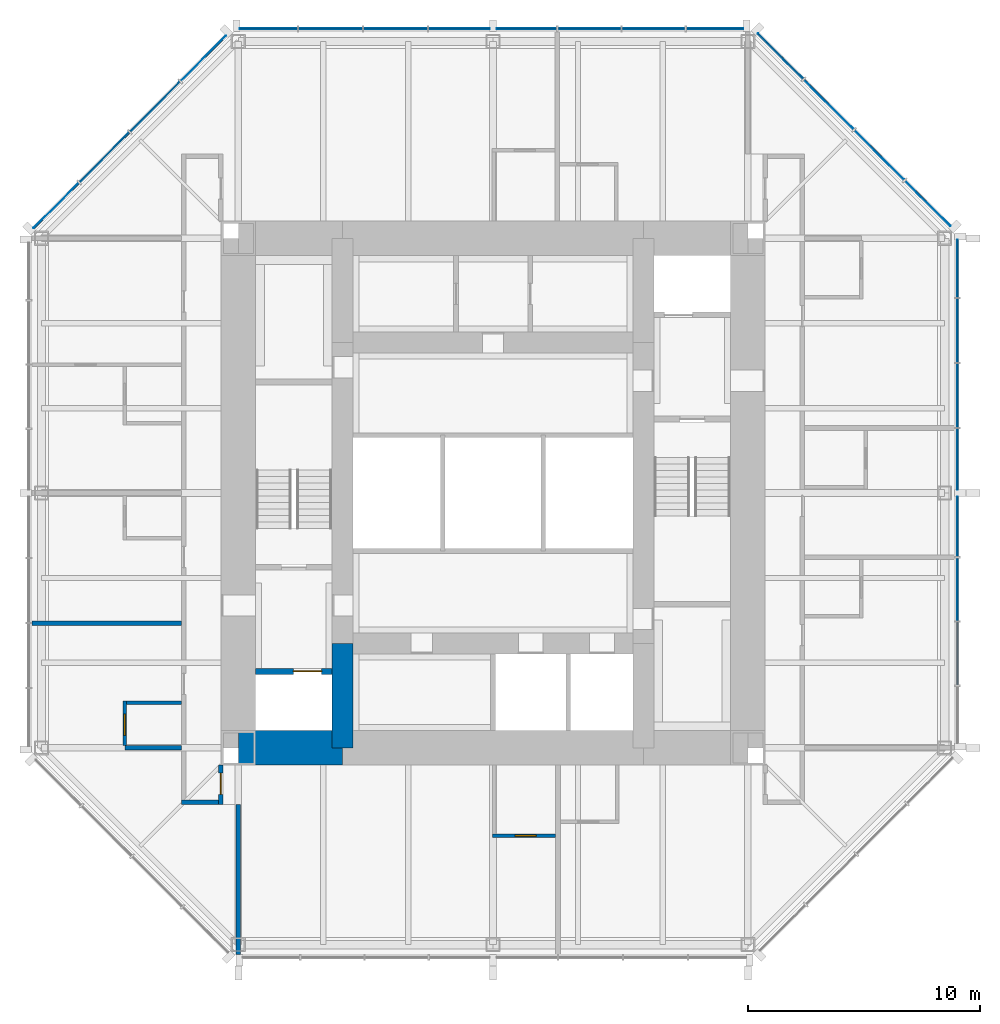
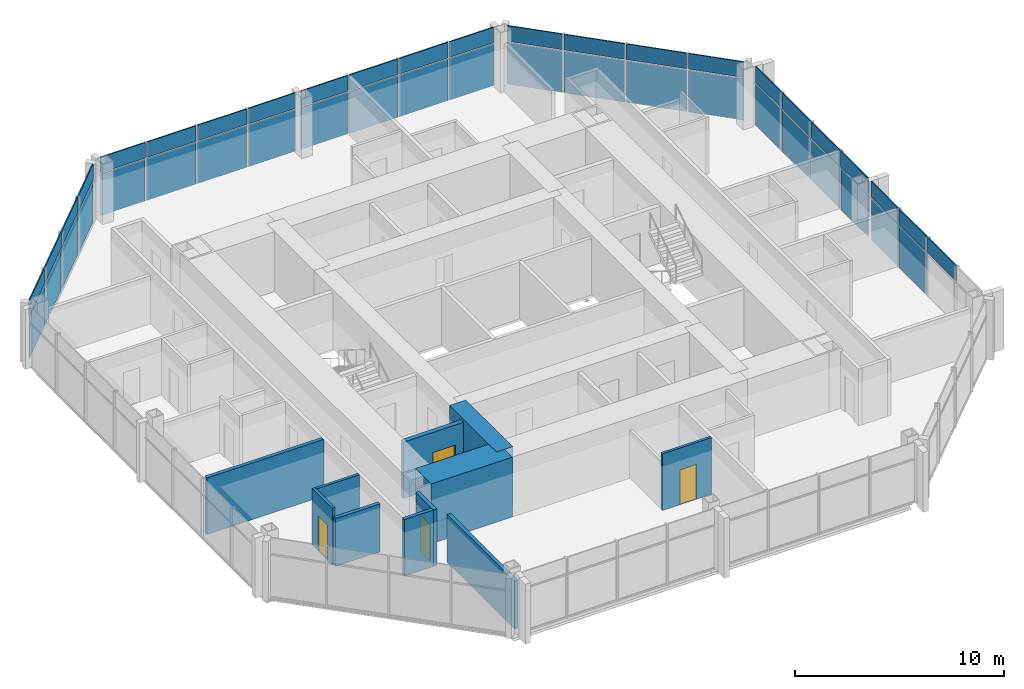
# One storey, part 7 of 11: 45 plates, 11 walls, 4 doors, 4 openings, 4 elements without a shape of their own.
"""IFC4 building model written with IfcOpenShell, lengths in metres."""

from ifc_helpers import new_model, si_unit, direction, frame, frame_2d, origin, origin_2d, place, context, subcontext, project, spatial, rectangle, extrude, material, layer, layer_set, type_object, element, fill, aggregate, save


model = new_model("IFC4")

# Units and contexts
model_context = context("Model", 3, precision=1e-05, world=origin(), true_north=direction((0.0, 1.0)))
body_context = subcontext(model_context, "Body", "Model", "MODEL_VIEW")
ifc_project = project(units=[si_unit("LENGTHUNIT", "METRE"), si_unit("AREAUNIT", "SQUARE_METRE"), si_unit("VOLUMEUNIT", "CUBIC_METRE"), si_unit("PLANEANGLEUNIT", "RADIAN"), si_unit("MASSUNIT", "GRAM", prefix="KILO")], contexts=[model_context])

# Site, building, storey
site_placement = place(None, origin())
site = spatial("IfcSite", under=ifc_project, at=site_placement, CompositionType="ELEMENT")
building_placement = place(site_placement, origin())
building = spatial("IfcBuilding", under=site, at=building_placement, Name="Trevanion Tower", CompositionType="ELEMENT")
storey_placement = place(building_placement, frame((0.0, 0.0, 250.199951171875)))
storey = spatial("IfcBuildingStorey", under=building, at=storey_placement, Name="L61", CompositionType="ELEMENT", Elevation=250.199951171875)

# Curtain wall, plates
ifc_material_1 = material(Name="Aluminium and glass", Category="aluminium")
curtain_wall_type = type_object("IfcCurtainWallType", Name="CW3 curtain wall", PredefinedType="USERDEFINED", material=ifc_material_1)
curtain_wall_1_placement = place(storey_placement, origin())
curtain_wall_1 = element("IfcCurtainWall", 1, at=curtain_wall_1_placement, inside=storey, type_object=curtain_wall_type, Name="CW3 L61 0", ObjectType="UNITISED CURTAIN WALL", PredefinedType="USERDEFINED")
ifc_material_2 = material(Name="Aluminium spandrel panel", Category="aluminium")
ifc_layer_1 = layer(ifc_material_2, 0.06005859375)
ifc_layer_set_1 = layer_set([ifc_layer_1], Name="CW3 spandrel panel")
plate_type_1 = type_object("IfcPlateType", Name="CW3 spandrel panel", PredefinedType="CURTAIN_PANEL", material=ifc_layer_set_1)
plate_1_placement = place(storey_placement, frame((20.050048828125, -6.93603515625, 2.3974609375), z_axis=(0.0, 0.0, 1.0), x_axis=(0.0, 1.0, 0.0)))
plate_1 = element("IfcPlate", 2, at=plate_1_placement, type_object=plate_type_1, Name="CW3 panel 2.2", PredefinedType="CURTAIN_PANEL", context=body_context, shape_type="SweptSolid", body=[
    extrude(rectangle(XDim=2.699462890625, YDim=0.06005859375, at=origin_2d()), origin(), (0.0, 0.0, 1.0), 0.91259765625),
])
plate_2_placement = place(storey_placement, frame((20.050048828125, -4.16162109375, 2.3974609375), z_axis=(0.0, 0.0, 1.0), x_axis=(0.0, 1.0, 0.0)))
plate_2 = element("IfcPlate", 3, at=plate_2_placement, type_object=plate_type_1, Name="CW3 panel 3.2", PredefinedType="CURTAIN_PANEL", context=body_context, shape_type="SweptSolid", body=[
    extrude(rectangle(XDim=2.699462890625, YDim=0.06005859375, at=origin_2d()), origin(), (0.0, 0.0, 1.0), 0.91259765625),
])
plate_3_placement = place(storey_placement, frame((20.050048828125, -1.443603515625, 2.3974609375), z_axis=(0.0, 0.0, 1.0), x_axis=(0.0, 1.0, 0.0)))
plate_3 = element("IfcPlate", 4, at=plate_3_placement, type_object=plate_type_1, Name="CW3 panel 4.2", PredefinedType="CURTAIN_PANEL", context=body_context, shape_type="SweptSolid", body=[
    extrude(rectangle(XDim=2.5869140625, YDim=0.06005859375, at=origin_2d()), origin(), (0.0, 0.0, 1.0), 0.91259765625),
])
plate_4_placement = place(storey_placement, frame((20.050048828125, 1.459716796875, 2.3974609375), z_axis=(0.0, 0.0, 1.0), x_axis=(0.0, 1.0, 0.0)))
plate_4 = element("IfcPlate", 5, at=plate_4_placement, type_object=plate_type_1, Name="CW3 panel 5.2", PredefinedType="CURTAIN_PANEL", context=body_context, shape_type="SweptSolid", body=[
    extrude(rectangle(XDim=2.619384765625, YDim=0.06005859375, at=origin_2d()), origin(), (0.0, 0.0, 1.0), 0.91259765625),
])
plate_5_placement = place(storey_placement, frame((20.050048828125, 4.21044921875, 2.3974609375), z_axis=(0.0, 0.0, 1.0), x_axis=(0.0, 1.0, 0.0)))
plate_5 = element("IfcPlate", 6, at=plate_5_placement, type_object=plate_type_1, Name="CW3 panel 6.2", PredefinedType="CURTAIN_PANEL", context=body_context, shape_type="SweptSolid", body=[
    extrude(rectangle(XDim=2.73193359375, YDim=0.06005859375, at=origin_2d()), origin(), (0.0, 0.0, 1.0), 0.91259765625),
])
plate_6_placement = place(storey_placement, frame((20.050048828125, 7.017333984375, 2.3974609375), z_axis=(0.0, 0.0, 1.0), x_axis=(0.0, 1.0, 0.0)))
plate_6 = element("IfcPlate", 7, at=plate_6_placement, type_object=plate_type_1, Name="CW3 panel 7.2", PredefinedType="CURTAIN_PANEL", context=body_context, shape_type="SweptSolid", body=[
    extrude(rectangle(XDim=2.73193359375, YDim=0.06005859375, at=origin_2d()), origin(), (0.0, 0.0, 1.0), 0.91259765625),
])
plate_7_placement = place(storey_placement, frame((20.050048828125, 9.693115234375, 2.3974609375), z_axis=(0.0, 0.0, 1.0), x_axis=(0.0, 1.0, 0.0)))
plate_7 = element("IfcPlate", 8, at=plate_7_placement, type_object=plate_type_1, Name="CW3 panel 8.2", PredefinedType="CURTAIN_PANEL", context=body_context, shape_type="SweptSolid", body=[
    extrude(rectangle(XDim=2.469482421875, YDim=0.06005859375, at=origin_2d()), origin(), (0.0, 0.0, 1.0), 0.91259765625),
])

curtain_wall_2_placement = place(storey_placement, origin())
curtain_wall_2 = element("IfcCurtainWall", 9, at=curtain_wall_2_placement, inside=storey, type_object=curtain_wall_type, Name="CW3 L61 1", ObjectType="UNITISED CURTAIN WALL", PredefinedType="USERDEFINED")
plate_8_placement = place(storey_placement, frame((18.77392578125, 12.50390625, 2.3974609375), z_axis=(0.0, 0.0, 1.0), x_axis=(-0.707106781187, 0.707106781187, 0.0)))
plate_8 = element("IfcPlate", 10, at=plate_8_placement, type_object=plate_type_1, Name="CW3 panel 1.2", PredefinedType="CURTAIN_PANEL", context=body_context, shape_type="SweptSolid", body=[
    extrude(rectangle(XDim=2.7490234375, YDim=0.06005859375, at=origin_2d()), origin(), (0.0, 0.0, 1.0), 0.91259765625),
])
plate_9_placement = place(storey_placement, frame((16.68408203125, 14.593505859375, 2.3974609375), z_axis=(0.0, 0.0, 1.0), x_axis=(-0.707106781187, 0.707106781187, 0.0)))
plate_9 = element("IfcPlate", 11, at=plate_9_placement, type_object=plate_type_1, Name="CW3 panel 2.2", PredefinedType="CURTAIN_PANEL", context=body_context, shape_type="SweptSolid", body=[
    extrude(rectangle(XDim=3.01171875, YDim=0.06005859375, at=origin_2d()), origin(), (0.0, 0.0, 1.0), 0.91259765625),
])
plate_10_placement = place(storey_placement, frame((14.501708984375, 16.776123046875, 2.3974609375), z_axis=(0.0, 0.0, 1.0), x_axis=(-0.707106781187, 0.707106781187, 0.0)))
plate_10 = element("IfcPlate", 12, at=plate_10_placement, type_object=plate_type_1, Name="CW3 panel 3.2", PredefinedType="CURTAIN_PANEL", context=body_context, shape_type="SweptSolid", body=[
    extrude(rectangle(XDim=3.01171875, YDim=0.06005859375, at=origin_2d()), origin(), (0.0, 0.0, 1.0), 0.91259765625),
])
plate_11_placement = place(storey_placement, frame((12.411865234375, 18.865966796875, 2.3974609375), z_axis=(0.0, 0.0, 1.0), x_axis=(-0.707106781187, 0.707106781187, 0.0)))
plate_11 = element("IfcPlate", 13, at=plate_11_placement, type_object=plate_type_1, Name="CW3 panel 4.2", PredefinedType="CURTAIN_PANEL", context=body_context, shape_type="SweptSolid", body=[
    extrude(rectangle(XDim=2.7490234375, YDim=0.06005859375, at=origin_2d()), origin(), (0.0, 0.0, 1.0), 0.91259765625),
])

curtain_wall_3_placement = place(storey_placement, origin())
curtain_wall_3 = element("IfcCurtainWall", 14, at=curtain_wall_3_placement, inside=storey, type_object=curtain_wall_type, Name="CW3 L61 2", ObjectType="UNITISED CURTAIN WALL", PredefinedType="USERDEFINED")
plate_12_placement = place(storey_placement, frame((9.579345703125, 20.050048828125, 2.3974609375), z_axis=(0.0, 0.0, 1.0), x_axis=(-1.0, 0.0, 0.0)))
plate_12 = element("IfcPlate", 15, at=plate_12_placement, type_object=plate_type_1, Name="CW3 panel 1.2", PredefinedType="CURTAIN_PANEL", context=body_context, shape_type="SweptSolid", body=[
    extrude(rectangle(XDim=2.43701171875, YDim=0.06005859375, at=origin_2d()), origin(), (0.0, 0.0, 1.0), 0.91259765625),
])
plate_13_placement = place(storey_placement, frame((6.93603515625, 20.050048828125, 2.3974609375), z_axis=(0.0, 0.0, 1.0), x_axis=(-1.0, 0.0, 0.0)))
plate_13 = element("IfcPlate", 16, at=plate_13_placement, type_object=plate_type_1, Name="CW3 panel 2.2", PredefinedType="CURTAIN_PANEL", context=body_context, shape_type="SweptSolid", body=[
    extrude(rectangle(XDim=2.699462890625, YDim=0.06005859375, at=origin_2d()), origin(), (0.0, 0.0, 1.0), 0.91259765625),
])
plate_14_placement = place(storey_placement, frame((4.16162109375, 20.050048828125, 2.3974609375), z_axis=(0.0, 0.0, 1.0), x_axis=(-1.0, 0.0, 0.0)))
plate_14 = element("IfcPlate", 17, at=plate_14_placement, type_object=plate_type_1, Name="CW3 panel 3.2", PredefinedType="CURTAIN_PANEL", context=body_context, shape_type="SweptSolid", body=[
    extrude(rectangle(XDim=2.699462890625, YDim=0.06005859375, at=origin_2d()), origin(), (0.0, 0.0, 1.0), 0.91259765625),
])
plate_15_placement = place(storey_placement, frame((1.443603515625, 20.050048828125, 2.3974609375), z_axis=(0.0, 0.0, 1.0), x_axis=(-1.0, 0.0, 0.0)))
plate_15 = element("IfcPlate", 18, at=plate_15_placement, type_object=plate_type_1, Name="CW3 panel 4.2", PredefinedType="CURTAIN_PANEL", context=body_context, shape_type="SweptSolid", body=[
    extrude(rectangle(XDim=2.5869140625, YDim=0.06005859375, at=origin_2d()), origin(), (0.0, 0.0, 1.0), 0.91259765625),
])
plate_16_placement = place(storey_placement, frame((-1.459716796875, 20.050048828125, 2.3974609375), z_axis=(0.0, 0.0, 1.0), x_axis=(-1.0, 0.0, 0.0)))
plate_16 = element("IfcPlate", 19, at=plate_16_placement, type_object=plate_type_1, Name="CW3 panel 5.2", PredefinedType="CURTAIN_PANEL", context=body_context, shape_type="SweptSolid", body=[
    extrude(rectangle(XDim=2.619384765625, YDim=0.06005859375, at=origin_2d()), origin(), (0.0, 0.0, 1.0), 0.91259765625),
])
plate_17_placement = place(storey_placement, frame((-4.21044921875, 20.050048828125, 2.3974609375), z_axis=(0.0, 0.0, 1.0), x_axis=(-1.0, 0.0, 0.0)))
plate_17 = element("IfcPlate", 20, at=plate_17_placement, type_object=plate_type_1, Name="CW3 panel 6.2", PredefinedType="CURTAIN_PANEL", context=body_context, shape_type="SweptSolid", body=[
    extrude(rectangle(XDim=2.73193359375, YDim=0.06005859375, at=origin_2d()), origin(), (0.0, 0.0, 1.0), 0.91259765625),
])
plate_18_placement = place(storey_placement, frame((-7.017333984375, 20.050048828125, 2.3974609375), z_axis=(0.0, 0.0, 1.0), x_axis=(-1.0, 0.0, 0.0)))
plate_18 = element("IfcPlate", 21, at=plate_18_placement, type_object=plate_type_1, Name="CW3 panel 7.2", PredefinedType="CURTAIN_PANEL", context=body_context, shape_type="SweptSolid", body=[
    extrude(rectangle(XDim=2.73193359375, YDim=0.06005859375, at=origin_2d()), origin(), (0.0, 0.0, 1.0), 0.91259765625),
])
plate_19_placement = place(storey_placement, frame((-9.693115234375, 20.050048828125, 2.3974609375), z_axis=(0.0, 0.0, 1.0), x_axis=(-1.0, 0.0, 0.0)))
plate_19 = element("IfcPlate", 22, at=plate_19_placement, type_object=plate_type_1, Name="CW3 panel 8.2", PredefinedType="CURTAIN_PANEL", context=body_context, shape_type="SweptSolid", body=[
    extrude(rectangle(XDim=2.469482421875, YDim=0.06005859375, at=origin_2d()), origin(), (0.0, 0.0, 1.0), 0.91259765625),
])

curtain_wall_4_placement = place(storey_placement, origin())
curtain_wall_4 = element("IfcCurtainWall", 23, at=curtain_wall_4_placement, inside=storey, type_object=curtain_wall_type, Name="CW3 L61 3", ObjectType="UNITISED CURTAIN WALL", PredefinedType="USERDEFINED")
plate_20_placement = place(storey_placement, frame((-12.50390625, 18.77392578125, 2.3974609375), z_axis=(0.0, 0.0, 1.0), x_axis=(-0.707106781187, -0.707106781187, 0.0)))
plate_20 = element("IfcPlate", 24, at=plate_20_placement, type_object=plate_type_1, Name="CW3 panel 1.2", PredefinedType="CURTAIN_PANEL", context=body_context, shape_type="SweptSolid", body=[
    extrude(rectangle(XDim=2.7490234375, YDim=0.06005859375, at=origin_2d()), origin(), (0.0, 0.0, 1.0), 0.91259765625),
])
plate_21_placement = place(storey_placement, frame((-14.593505859375, 16.68408203125, 2.3974609375), z_axis=(0.0, 0.0, 1.0), x_axis=(-0.707106781187, -0.707106781187, 0.0)))
plate_21 = element("IfcPlate", 25, at=plate_21_placement, type_object=plate_type_1, Name="CW3 panel 2.2", PredefinedType="CURTAIN_PANEL", context=body_context, shape_type="SweptSolid", body=[
    extrude(rectangle(XDim=3.01171875, YDim=0.06005859375, at=origin_2d()), origin(), (0.0, 0.0, 1.0), 0.91259765625),
])
plate_22_placement = place(storey_placement, frame((-16.776123046875, 14.501708984375, 2.3974609375), z_axis=(0.0, 0.0, 1.0), x_axis=(-0.707106781187, -0.707106781187, 0.0)))
plate_22 = element("IfcPlate", 26, at=plate_22_placement, type_object=plate_type_1, Name="CW3 panel 3.2", PredefinedType="CURTAIN_PANEL", context=body_context, shape_type="SweptSolid", body=[
    extrude(rectangle(XDim=3.01171875, YDim=0.06005859375, at=origin_2d()), origin(), (0.0, 0.0, 1.0), 0.91259765625),
])
plate_23_placement = place(storey_placement, frame((-18.865966796875, 12.411865234375, 2.3974609375), z_axis=(0.0, 0.0, 1.0), x_axis=(-0.707106781187, -0.707106781187, 0.0)))
plate_23 = element("IfcPlate", 27, at=plate_23_placement, type_object=plate_type_1, Name="CW3 panel 4.2", PredefinedType="CURTAIN_PANEL", context=body_context, shape_type="SweptSolid", body=[
    extrude(rectangle(XDim=2.7490234375, YDim=0.06005859375, at=origin_2d()), origin(), (0.0, 0.0, 1.0), 0.91259765625),
])

# Plate
ifc_material_3 = material(Name="Insulating glass unit", Category="glass")
ifc_layer_2 = layer(ifc_material_3, 0.028076171875)
ifc_layer_set_2 = layer_set([ifc_layer_2], Name="CW3 vision panel")
plate_type_2 = type_object("IfcPlateType", Name="CW3 vision panel", PredefinedType="CURTAIN_PANEL", material=ifc_layer_set_2)
plate_24_placement = place(storey_placement, frame((20.050048828125, -4.16162109375, -0.114990234375), z_axis=(0.0, 0.0, 1.0), x_axis=(0.0, 1.0, 0.0)))
plate_24 = element("IfcPlate", 28, at=plate_24_placement, type_object=plate_type_2, Name="CW3 panel 3.1", PredefinedType="CURTAIN_PANEL", context=body_context, shape_type="SweptSolid", body=[
    extrude(rectangle(XDim=2.699462890625, YDim=0.028076171875, at=origin_2d()), origin(), (0.0, 0.0, 1.0), 2.4375),
])

plate_25_placement = place(storey_placement, frame((20.050048828125, -1.443603515625, -0.114990234375), z_axis=(0.0, 0.0, 1.0), x_axis=(0.0, 1.0, 0.0)))
plate_25 = element("IfcPlate", 29, at=plate_25_placement, type_object=plate_type_2, Name="CW3 panel 4.1", PredefinedType="CURTAIN_PANEL", context=body_context, shape_type="SweptSolid", body=[
    extrude(rectangle(XDim=2.5869140625, YDim=0.028076171875, at=origin_2d()), origin(), (0.0, 0.0, 1.0), 2.4375),
])

plate_26_placement = place(storey_placement, frame((20.050048828125, 1.459716796875, -0.114990234375), z_axis=(0.0, 0.0, 1.0), x_axis=(0.0, 1.0, 0.0)))
plate_26 = element("IfcPlate", 30, at=plate_26_placement, type_object=plate_type_2, Name="CW3 panel 5.1", PredefinedType="CURTAIN_PANEL", context=body_context, shape_type="SweptSolid", body=[
    extrude(rectangle(XDim=2.619384765625, YDim=0.028076171875, at=origin_2d()), origin(), (0.0, 0.0, 1.0), 2.4375),
])

plate_27_placement = place(storey_placement, frame((20.050048828125, 4.21044921875, -0.114990234375), z_axis=(0.0, 0.0, 1.0), x_axis=(0.0, 1.0, 0.0)))
plate_27 = element("IfcPlate", 31, at=plate_27_placement, type_object=plate_type_2, Name="CW3 panel 6.1", PredefinedType="CURTAIN_PANEL", context=body_context, shape_type="SweptSolid", body=[
    extrude(rectangle(XDim=2.73193359375, YDim=0.028076171875, at=origin_2d()), origin(), (0.0, 0.0, 1.0), 2.4375),
])

plate_28_placement = place(storey_placement, frame((20.050048828125, 7.017333984375, -0.114990234375), z_axis=(0.0, 0.0, 1.0), x_axis=(0.0, 1.0, 0.0)))
plate_28 = element("IfcPlate", 32, at=plate_28_placement, type_object=plate_type_2, Name="CW3 panel 7.1", PredefinedType="CURTAIN_PANEL", context=body_context, shape_type="SweptSolid", body=[
    extrude(rectangle(XDim=2.73193359375, YDim=0.028076171875, at=origin_2d()), origin(), (0.0, 0.0, 1.0), 2.4375),
])

plate_29_placement = place(storey_placement, frame((20.050048828125, 9.693115234375, -0.114990234375), z_axis=(0.0, 0.0, 1.0), x_axis=(0.0, 1.0, 0.0)))
plate_29 = element("IfcPlate", 33, at=plate_29_placement, type_object=plate_type_2, Name="CW3 panel 8.1", PredefinedType="CURTAIN_PANEL", context=body_context, shape_type="SweptSolid", body=[
    extrude(rectangle(XDim=2.469482421875, YDim=0.028076171875, at=origin_2d()), origin(), (0.0, 0.0, 1.0), 2.4375),
])

aggregate(curtain_wall_1, [plate_1, plate_24, plate_2, plate_25, plate_3, plate_26, plate_4, plate_27, plate_5, plate_28, plate_6, plate_29, plate_7])

plate_30_placement = place(storey_placement, frame((18.77392578125, 12.50390625, -0.114990234375), z_axis=(0.0, 0.0, 1.0), x_axis=(-0.707106781187, 0.707106781187, 0.0)))
plate_30 = element("IfcPlate", 34, at=plate_30_placement, type_object=plate_type_2, Name="CW3 panel 1.1", PredefinedType="CURTAIN_PANEL", context=body_context, shape_type="SweptSolid", body=[
    extrude(rectangle(XDim=2.7490234375, YDim=0.028076171875, at=origin_2d()), origin(), (0.0, 0.0, 1.0), 2.4375),
])

plate_31_placement = place(storey_placement, frame((16.68408203125, 14.593505859375, -0.114990234375), z_axis=(0.0, 0.0, 1.0), x_axis=(-0.707106781187, 0.707106781187, 0.0)))
plate_31 = element("IfcPlate", 35, at=plate_31_placement, type_object=plate_type_2, Name="CW3 panel 2.1", PredefinedType="CURTAIN_PANEL", context=body_context, shape_type="SweptSolid", body=[
    extrude(rectangle(XDim=3.01171875, YDim=0.028076171875, at=origin_2d()), origin(), (0.0, 0.0, 1.0), 2.4375),
])

plate_32_placement = place(storey_placement, frame((14.501708984375, 16.776123046875, -0.114990234375), z_axis=(0.0, 0.0, 1.0), x_axis=(-0.707106781187, 0.707106781187, 0.0)))
plate_32 = element("IfcPlate", 36, at=plate_32_placement, type_object=plate_type_2, Name="CW3 panel 3.1", PredefinedType="CURTAIN_PANEL", context=body_context, shape_type="SweptSolid", body=[
    extrude(rectangle(XDim=3.01171875, YDim=0.028076171875, at=origin_2d()), origin(), (0.0, 0.0, 1.0), 2.4375),
])

plate_33_placement = place(storey_placement, frame((12.411865234375, 18.865966796875, -0.114990234375), z_axis=(0.0, 0.0, 1.0), x_axis=(-0.707106781187, 0.707106781187, 0.0)))
plate_33 = element("IfcPlate", 37, at=plate_33_placement, type_object=plate_type_2, Name="CW3 panel 4.1", PredefinedType="CURTAIN_PANEL", context=body_context, shape_type="SweptSolid", body=[
    extrude(rectangle(XDim=2.7490234375, YDim=0.028076171875, at=origin_2d()), origin(), (0.0, 0.0, 1.0), 2.4375),
])

aggregate(curtain_wall_2, [plate_30, plate_8, plate_31, plate_9, plate_32, plate_10, plate_33, plate_11])

plate_34_placement = place(storey_placement, frame((9.579345703125, 20.050048828125, -0.114990234375), z_axis=(0.0, 0.0, 1.0), x_axis=(-1.0, 0.0, 0.0)))
plate_34 = element("IfcPlate", 38, at=plate_34_placement, type_object=plate_type_2, Name="CW3 panel 1.1", PredefinedType="CURTAIN_PANEL", context=body_context, shape_type="SweptSolid", body=[
    extrude(rectangle(XDim=2.43701171875, YDim=0.028076171875, at=origin_2d()), origin(), (0.0, 0.0, 1.0), 2.4375),
])

plate_35_placement = place(storey_placement, frame((6.93603515625, 20.050048828125, -0.114990234375), z_axis=(0.0, 0.0, 1.0), x_axis=(-1.0, 0.0, 0.0)))
plate_35 = element("IfcPlate", 39, at=plate_35_placement, type_object=plate_type_2, Name="CW3 panel 2.1", PredefinedType="CURTAIN_PANEL", context=body_context, shape_type="SweptSolid", body=[
    extrude(rectangle(XDim=2.699462890625, YDim=0.028076171875, at=origin_2d()), origin(), (0.0, 0.0, 1.0), 2.4375),
])

plate_36_placement = place(storey_placement, frame((4.16162109375, 20.050048828125, -0.114990234375), z_axis=(0.0, 0.0, 1.0), x_axis=(-1.0, 0.0, 0.0)))
plate_36 = element("IfcPlate", 40, at=plate_36_placement, type_object=plate_type_2, Name="CW3 panel 3.1", PredefinedType="CURTAIN_PANEL", context=body_context, shape_type="SweptSolid", body=[
    extrude(rectangle(XDim=2.699462890625, YDim=0.028076171875, at=origin_2d()), origin(), (0.0, 0.0, 1.0), 2.4375),
])

plate_37_placement = place(storey_placement, frame((1.443603515625, 20.050048828125, -0.114990234375), z_axis=(0.0, 0.0, 1.0), x_axis=(-1.0, 0.0, 0.0)))
plate_37 = element("IfcPlate", 41, at=plate_37_placement, type_object=plate_type_2, Name="CW3 panel 4.1", PredefinedType="CURTAIN_PANEL", context=body_context, shape_type="SweptSolid", body=[
    extrude(rectangle(XDim=2.5869140625, YDim=0.028076171875, at=origin_2d()), origin(), (0.0, 0.0, 1.0), 2.4375),
])

plate_38_placement = place(storey_placement, frame((-1.459716796875, 20.050048828125, -0.114990234375), z_axis=(0.0, 0.0, 1.0), x_axis=(-1.0, 0.0, 0.0)))
plate_38 = element("IfcPlate", 42, at=plate_38_placement, type_object=plate_type_2, Name="CW3 panel 5.1", PredefinedType="CURTAIN_PANEL", context=body_context, shape_type="SweptSolid", body=[
    extrude(rectangle(XDim=2.619384765625, YDim=0.028076171875, at=origin_2d()), origin(), (0.0, 0.0, 1.0), 2.4375),
])

plate_39_placement = place(storey_placement, frame((-4.21044921875, 20.050048828125, -0.114990234375), z_axis=(0.0, 0.0, 1.0), x_axis=(-1.0, 0.0, 0.0)))
plate_39 = element("IfcPlate", 43, at=plate_39_placement, type_object=plate_type_2, Name="CW3 panel 6.1", PredefinedType="CURTAIN_PANEL", context=body_context, shape_type="SweptSolid", body=[
    extrude(rectangle(XDim=2.73193359375, YDim=0.028076171875, at=origin_2d()), origin(), (0.0, 0.0, 1.0), 2.4375),
])

plate_40_placement = place(storey_placement, frame((-7.017333984375, 20.050048828125, -0.114990234375), z_axis=(0.0, 0.0, 1.0), x_axis=(-1.0, 0.0, 0.0)))
plate_40 = element("IfcPlate", 44, at=plate_40_placement, type_object=plate_type_2, Name="CW3 panel 7.1", PredefinedType="CURTAIN_PANEL", context=body_context, shape_type="SweptSolid", body=[
    extrude(rectangle(XDim=2.73193359375, YDim=0.028076171875, at=origin_2d()), origin(), (0.0, 0.0, 1.0), 2.4375),
])

plate_41_placement = place(storey_placement, frame((-9.693115234375, 20.050048828125, -0.114990234375), z_axis=(0.0, 0.0, 1.0), x_axis=(-1.0, 0.0, 0.0)))
plate_41 = element("IfcPlate", 45, at=plate_41_placement, type_object=plate_type_2, Name="CW3 panel 8.1", PredefinedType="CURTAIN_PANEL", context=body_context, shape_type="SweptSolid", body=[
    extrude(rectangle(XDim=2.469482421875, YDim=0.028076171875, at=origin_2d()), origin(), (0.0, 0.0, 1.0), 2.4375),
])

aggregate(curtain_wall_3, [plate_34, plate_12, plate_35, plate_13, plate_36, plate_14, plate_37, plate_15, plate_38, plate_16, plate_39, plate_17, plate_40, plate_18, plate_41, plate_19])

plate_42_placement = place(storey_placement, frame((-12.50390625, 18.77392578125, -0.114990234375), z_axis=(0.0, 0.0, 1.0), x_axis=(-0.707106781187, -0.707106781187, 0.0)))
plate_42 = element("IfcPlate", 46, at=plate_42_placement, type_object=plate_type_2, Name="CW3 panel 1.1", PredefinedType="CURTAIN_PANEL", context=body_context, shape_type="SweptSolid", body=[
    extrude(rectangle(XDim=2.7490234375, YDim=0.028076171875, at=origin_2d()), origin(), (0.0, 0.0, 1.0), 2.4375),
])

plate_43_placement = place(storey_placement, frame((-14.593505859375, 16.68408203125, -0.114990234375), z_axis=(0.0, 0.0, 1.0), x_axis=(-0.707106781187, -0.707106781187, 0.0)))
plate_43 = element("IfcPlate", 47, at=plate_43_placement, type_object=plate_type_2, Name="CW3 panel 2.1", PredefinedType="CURTAIN_PANEL", context=body_context, shape_type="SweptSolid", body=[
    extrude(rectangle(XDim=3.01171875, YDim=0.028076171875, at=origin_2d()), origin(), (0.0, 0.0, 1.0), 2.4375),
])

plate_44_placement = place(storey_placement, frame((-16.776123046875, 14.501708984375, -0.114990234375), z_axis=(0.0, 0.0, 1.0), x_axis=(-0.707106781187, -0.707106781187, 0.0)))
plate_44 = element("IfcPlate", 48, at=plate_44_placement, type_object=plate_type_2, Name="CW3 panel 3.1", PredefinedType="CURTAIN_PANEL", context=body_context, shape_type="SweptSolid", body=[
    extrude(rectangle(XDim=3.01171875, YDim=0.028076171875, at=origin_2d()), origin(), (0.0, 0.0, 1.0), 2.4375),
])

plate_45_placement = place(storey_placement, frame((-18.865966796875, 12.411865234375, -0.114990234375), z_axis=(0.0, 0.0, 1.0), x_axis=(-0.707106781187, -0.707106781187, 0.0)))
plate_45 = element("IfcPlate", 49, at=plate_45_placement, type_object=plate_type_2, Name="CW3 panel 4.1", PredefinedType="CURTAIN_PANEL", context=body_context, shape_type="SweptSolid", body=[
    extrude(rectangle(XDim=2.7490234375, YDim=0.028076171875, at=origin_2d()), origin(), (0.0, 0.0, 1.0), 2.4375),
])

aggregate(curtain_wall_4, [plate_42, plate_20, plate_43, plate_21, plate_44, plate_22, plate_45, plate_23])

# Walls
ifc_material_4 = material(Name="Concrete 10,000 psi", Category="concrete")
ifc_layer_3 = layer(ifc_material_4, 1.5)
ifc_layer_set_3 = layer_set([ifc_layer_3], Name="CW1 core wall 1500")
wall_type_1 = type_object("IfcWallType", Name="CW1 core wall 1500", PredefinedType="SHEAR", material=ifc_layer_set_3)
wall_1_placement = place(storey_placement, frame((-11.0, -11.0, 0.0), z_axis=(0.0, 0.0, 1.0), x_axis=(1.0, 0.0, 0.0)))
element("IfcWall", 50, at=wall_1_placement, inside=storey, type_object=wall_type_1, Name="CW1 CS1 L61", PredefinedType="SHEAR", context=body_context, shape_type="SweptSolid", body=[
    extrude(rectangle(XDim=4.5, YDim=1.5, at=frame_2d((2.25, 0.0))), origin(), (0.0, 0.0, 1.0), 3.5),
])
ifc_material_5 = material(Name="Concrete 10,000 psi", Category="concrete")
ifc_layer_4 = layer(ifc_material_5, 0.89990234375)
ifc_layer_set_4 = layer_set([ifc_layer_4], Name="CW2 core wall 900")
wall_type_2 = type_object("IfcWallType", Name="CW2 core wall 900", PredefinedType="SHEAR", material=ifc_layer_set_4)
wall_2_placement = place(storey_placement, frame((-6.5, -6.5, 0.0), z_axis=(0.0, 0.0, 1.0), x_axis=(0.0, -1.0, 0.0)))
element("IfcWall", 51, at=wall_2_placement, inside=storey, type_object=wall_type_2, Name="CW2 RW3 L61", PredefinedType="SHEAR", context=body_context, shape_type="SweptSolid", body=[
    extrude(rectangle(XDim=4.5, YDim=0.89990234375, at=frame_2d((2.25, 0.0))), origin(), (0.0, 0.0, 1.0), 3.5),
])

# Wall, opening, door
ifc_material_6 = material(Name="Gypsum board on steel studs", Category="steel")
ifc_layer_5 = layer(ifc_material_6, 0.14990234375)
ifc_layer_set_5 = layer_set([ifc_layer_5], Name="PT1 partition 150")
wall_type_3 = type_object("IfcWallType", Name="PT1 partition 150", PredefinedType="PARTITIONING", material=ifc_layer_set_5)
wall_3_placement = place(storey_placement, frame((-15.89990234375, -8.97509765625, 0.0), z_axis=(0.0, 0.0, 1.0), x_axis=(0.0, -1.0, 0.0)))
wall_3 = element("IfcWall", 52, at=wall_3_placement, inside=storey, type_object=wall_type_3, Name="PT1 L61 BA22", PredefinedType="PARTITIONING", context=body_context, shape_type="SweptSolid", body=[
    extrude(rectangle(XDim=1.9248046875, YDim=0.14990234375, at=frame_2d((0.96240234375, 0.0))), origin(), (0.0, 0.0, 1.0), 3.31005859375),
])
opening_1_placement = place(wall_3_placement, frame((0.5673828125, 0.0, 0.0)))
opening_1 = element("IfcOpeningElement", 53, at=opening_1_placement, cuts=wall_3, Name="Opening 61-032", PredefinedType="OPENING", context=body_context, shape_type="SweptSolid", body=[
    extrude(rectangle(XDim=0.9150390625, YDim=2.031982421875, at=frame_2d((0.45751953125, 1.01611328125))), frame((0.0, 0.0849609375, 0.0), z_axis=(0.0, -1.0, 0.0), x_axis=(1.0, 0.0, 0.0)), (0.0, 0.0, 1.0), 0.169921875),
])
ifc_material_7 = material(Name="Timber veneer", Category="wood")
door_type_1 = type_object("IfcDoorType", Name="D7 bathroom door", OperationType="SINGLE_SWING_LEFT", PredefinedType="DOOR", material=ifc_material_7)
door_1_placement = place(opening_1_placement, origin())
door_1 = element("IfcDoor", 54, at=door_1_placement, inside=storey, type_object=door_type_1, Name="Door 61-032", OperationType="SINGLE_SWING_LEFT", OverallHeight=2.031982421875, OverallWidth=0.9150390625, PredefinedType="DOOR", context=body_context, shape_type="SweptSolid", body=[
    extrude(rectangle(XDim=0.9150390625, YDim=2.031982421875, at=frame_2d((0.45751953125, 1.01611328125))), frame((0.0, 0.02490234375, 0.0), z_axis=(0.0, -1.0, 0.0), x_axis=(1.0, 0.0, 0.0)), (0.0, 0.0, 1.0), 0.050048828125),
])
fill(opening_1, door_1)

# Wall
wall_4_placement = place(storey_placement, frame((-13.449951171875, -9.050048828125, 0.0), z_axis=(0.0, 0.0, 1.0), x_axis=(-1.0, 0.0, 0.0)))
element("IfcWall", 55, at=wall_4_placement, inside=storey, type_object=wall_type_3, Name="PT1 L61 BB22", PredefinedType="PARTITIONING", context=body_context, shape_type="SweptSolid", body=[
    extrude(rectangle(XDim=2.375, YDim=0.14990234375, at=frame_2d((1.1875, 0.0))), origin(), (0.0, 0.0, 1.0), 3.31005859375),
])

# Wall, opening, door
wall_5_placement = place(storey_placement, frame((-0.01806640625, -14.800048828125, 0.0), z_axis=(0.0, 0.0, 1.0), x_axis=(1.0, 0.0, 0.0)))
wall_5 = element("IfcWall", 56, at=wall_5_placement, inside=storey, type_object=wall_type_3, Name="PT1 L61 BA30", PredefinedType="PARTITIONING", context=body_context, shape_type="SweptSolid", body=[
    extrude(rectangle(XDim=2.72509765625, YDim=0.14990234375, at=frame_2d((1.362548828125, 0.0))), origin(), (0.0, 0.0, 1.0), 3.31005859375),
])
opening_2_placement = place(wall_5_placement, frame((0.967529296875, 0.0, 0.0)))
opening_2 = element("IfcOpeningElement", 57, at=opening_2_placement, cuts=wall_5, Name="Opening 61-036", PredefinedType="OPENING", context=body_context, shape_type="SweptSolid", body=[
    extrude(rectangle(XDim=0.9150390625, YDim=2.031982421875, at=frame_2d((0.45751953125, 1.01611328125))), frame((0.0, 0.0849609375, 0.0), z_axis=(0.0, -1.0, 0.0), x_axis=(1.0, 0.0, 0.0)), (0.0, 0.0, 1.0), 0.169921875),
])
door_2_placement = place(opening_2_placement, origin())
door_2 = element("IfcDoor", 58, at=door_2_placement, inside=storey, type_object=door_type_1, Name="Door 61-036", OperationType="SINGLE_SWING_LEFT", OverallHeight=2.031982421875, OverallWidth=0.9150390625, PredefinedType="DOOR", context=body_context, shape_type="SweptSolid", body=[
    extrude(rectangle(XDim=0.9150390625, YDim=2.031982421875, at=frame_2d((0.45751953125, 1.01611328125))), frame((0.0, 0.02490234375, 0.0), z_axis=(0.0, -1.0, 0.0), x_axis=(1.0, 0.0, 0.0)), (0.0, 0.0, 1.0), 0.050048828125),
])
fill(opening_2, door_2)

ifc_material_8 = material(Name="Concrete masonry, grouted", Category="masonry")
ifc_layer_6 = layer(ifc_material_8, 0.199951171875)
ifc_layer_set_6 = layer_set([ifc_layer_6], Name="PT2 partition 200 1 HR")
wall_type_4 = type_object("IfcWallType", Name="PT2 partition 200 1 HR", PredefinedType="PARTITIONING", material=ifc_layer_set_6)
wall_6_placement = place(storey_placement, frame((-11.75, -11.75, 0.0), z_axis=(0.0, 0.0, 1.0), x_axis=(0.0, -1.0, 0.0)))
wall_6 = element("IfcWall", 59, at=wall_6_placement, inside=storey, type_object=wall_type_4, Name="PT2 L61 HO3a", PredefinedType="PARTITIONING", context=body_context, shape_type="SweptSolid", body=[
    extrude(rectangle(XDim=1.699951171875, YDim=0.199951171875, at=frame_2d((0.85009765625, 0.0))), origin(), (0.0, 0.0, 1.0), 3.31005859375),
])
opening_3_placement = place(wall_6_placement, frame((0.342529296875, 0.0, 0.0)))
opening_3 = element("IfcOpeningElement", 60, at=opening_3_placement, cuts=wall_6, Name="Opening 61-034", PredefinedType="OPENING", context=body_context, shape_type="SweptSolid", body=[
    extrude(rectangle(XDim=0.9150390625, YDim=2.134033203125, at=frame_2d((0.45751953125, 1.06689453125))), frame((0.0, 0.10986328125, 0.0), z_axis=(0.0, -1.0, 0.0), x_axis=(1.0, 0.0, 0.0)), (0.0, 0.0, 1.0), 0.219970703125),
])
ifc_material_9 = material(Name="Timber veneer, fire rated", Category="wood")
door_type_2 = type_object("IfcDoorType", Name="D6 guest room entrance door", OperationType="SINGLE_SWING_LEFT", PredefinedType="DOOR", material=ifc_material_9)
door_3_placement = place(opening_3_placement, origin())
door_3 = element("IfcDoor", 61, at=door_3_placement, inside=storey, type_object=door_type_2, Name="Door 61-034", OperationType="SINGLE_SWING_LEFT", OverallHeight=2.134033203125, OverallWidth=0.9150390625, PredefinedType="DOOR", context=body_context, shape_type="SweptSolid", body=[
    extrude(rectangle(XDim=0.9150390625, YDim=2.134033203125, at=frame_2d((0.45751953125, 1.06689453125))), frame((0.0, 0.02490234375, 0.0), z_axis=(0.0, -1.0, 0.0), x_axis=(1.0, 0.0, 0.0)), (0.0, 0.0, 1.0), 0.050048828125),
])
fill(opening_3, door_3)

# Walls
wall_7_placement = place(storey_placement, frame((-13.449951171875, -13.35009765625, 0.0), z_axis=(0.0, 0.0, 1.0), x_axis=(1.0, 0.0, 0.0)))
element("IfcWall", 62, at=wall_7_placement, inside=storey, type_object=wall_type_4, Name="PT2 L61 HC3ca", PredefinedType="PARTITIONING", context=body_context, shape_type="SweptSolid", body=[
    extrude(rectangle(XDim=1.599853515625, YDim=0.199951171875, at=frame_2d((0.7998046875, 0.0))), origin(), (0.0, 0.0, 1.0), 3.31005859375),
])
wall_8_placement = place(storey_placement, frame((-13.449951171875, -5.614013671875, 0.0), z_axis=(0.0, 0.0, 1.0), x_axis=(-1.0, 0.0, 0.0)))
element("IfcWall", 63, at=wall_8_placement, inside=storey, type_object=wall_type_4, Name="PT2 L61 HD22", PredefinedType="PARTITIONING", context=body_context, shape_type="SweptSolid", body=[
    extrude(rectangle(XDim=6.465087890625, YDim=0.199951171875, at=frame_2d((3.232421875, 0.0))), origin(), (0.0, 0.0, 1.0), 3.31005859375),
])
wall_9_placement = place(storey_placement, frame((-13.449951171875, -11.0, 0.0), z_axis=(0.0, 0.0, 1.0), x_axis=(-1.0, 0.0, 0.0)))
element("IfcWall", 64, at=wall_9_placement, inside=storey, type_object=wall_type_4, Name="PT2 L61 BC22", PredefinedType="PARTITIONING", context=body_context, shape_type="SweptSolid", body=[
    extrude(rectangle(XDim=2.449951171875, YDim=0.199951171875, at=frame_2d((1.22509765625, 0.0))), origin(), (0.0, 0.0, 1.0), 2.802001953125),
])
wall_10_placement = place(storey_placement, frame((-11.0, -13.449951171875, 0.0), z_axis=(0.0, 0.0, 1.0), x_axis=(0.0, -1.0, 0.0)))
element("IfcWall", 65, at=wall_10_placement, inside=storey, type_object=wall_type_4, Name="PT2 L61 HD30", PredefinedType="PARTITIONING", context=body_context, shape_type="SweptSolid", body=[
    extrude(rectangle(XDim=6.465087890625, YDim=0.199951171875, at=frame_2d((3.232421875, 0.0))), origin(), (0.0, 0.0, 1.0), 2.802001953125),
])

# Wall, opening, door
ifc_material_10 = material(Name="Concrete masonry, grouted, two-hour", Category="masonry")
ifc_layer_7 = layer(ifc_material_10, 0.25)
ifc_layer_set_7 = layer_set([ifc_layer_7], Name="PT3 partition 250 2 HR")
wall_type_5 = type_object("IfcWallType", Name="PT3 partition 250 2 HR", PredefinedType="PARTITIONING", material=ifc_layer_set_7)
wall_11_placement = place(storey_placement, frame((-6.949951171875, -7.699951171875, 0.0), z_axis=(0.0, 0.0, 1.0), x_axis=(-1.0, 0.0, 0.0)))
wall_11 = element("IfcWall", 66, at=wall_11_placement, inside=storey, type_object=wall_type_5, Name="PT3 L61 WP3", PredefinedType="PARTITIONING", context=body_context, shape_type="SweptSolid", body=[
    extrude(rectangle(XDim=3.300048828125, YDim=0.25, at=frame_2d((1.64990234375, 0.0))), origin(), (0.0, 0.0, 1.0), 3.31005859375),
])
opening_4_placement = place(wall_11_placement, frame((0.449951171875, 0.0, 0.0)))
opening_4 = element("IfcOpeningElement", 67, at=opening_4_placement, cuts=wall_11, Name="Opening 61-008", PredefinedType="OPENING", context=body_context, shape_type="SweptSolid", body=[
    extrude(rectangle(XDim=1.218994140625, YDim=2.134033203125, at=frame_2d((0.609375, 1.06689453125))), frame((0.0, 0.135009765625, 0.0), z_axis=(0.0, -1.0, 0.0), x_axis=(1.0, 0.0, 0.0)), (0.0, 0.0, 1.0), 0.27001953125),
])
ifc_material_11 = material(Name="Stainless steel, fire rated", Category="steel")
door_type_3 = type_object("IfcDoorType", Name="LD2 fire service lift landing door", OperationType="SLIDING_TO_LEFT", PredefinedType="DOOR", material=ifc_material_11)
door_4_placement = place(opening_4_placement, origin())
door_4 = element("IfcDoor", 68, at=door_4_placement, inside=storey, type_object=door_type_3, Name="Door 61-008", OperationType="SLIDING_TO_LEFT", OverallHeight=2.134033203125, OverallWidth=1.218994140625, PredefinedType="DOOR", context=body_context, shape_type="SweptSolid", body=[
    extrude(rectangle(XDim=1.218994140625, YDim=2.134033203125, at=frame_2d((0.609375, 1.06689453125))), frame((0.0, 0.02490234375, 0.0), z_axis=(0.0, -1.0, 0.0), x_axis=(1.0, 0.0, 0.0)), (0.0, 0.0, 1.0), 0.050048828125),
])
fill(opening_4, door_4)

save(model, "model.ifc")
